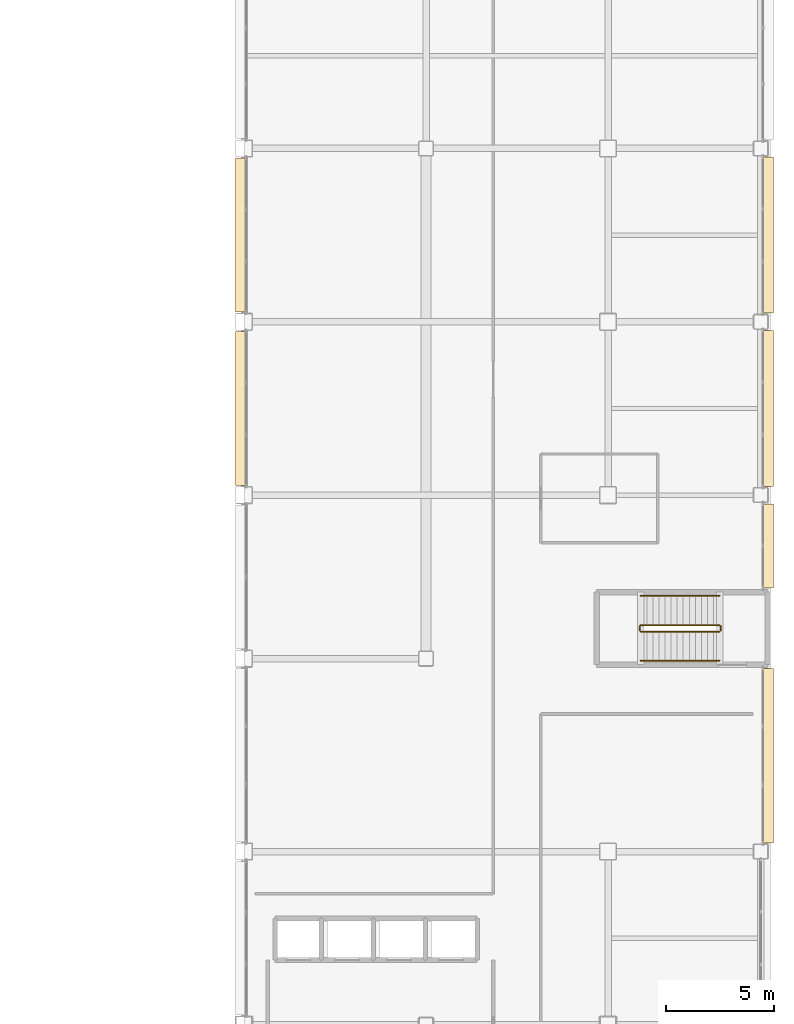
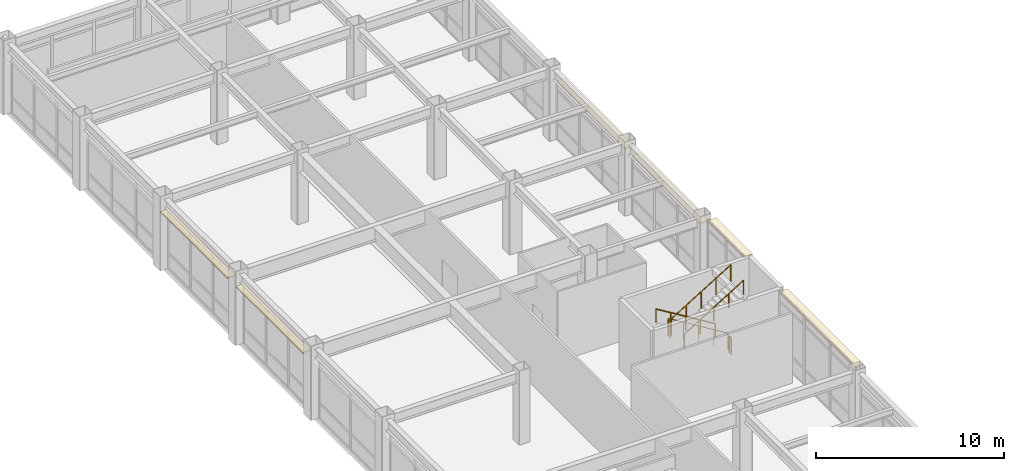
# One storey, part 153 of 154: 6 coverings, 6 railings.
"""IFC4 building model written with IfcOpenShell, lengths in metres."""

import ifcopenshell
import ifcopenshell.guid

model = None  # the IFC model being written
_history = None  # IfcOwnerHistory: only IFC2X3 demands one
_inside = {}  # id of a spatial element -> (the spatial element, [elements in it])
_under = {}  # id of a project, library or spatial element -> (it, [spatial elements below it])
_declared = {}  # id of a project -> (the project, [libraries it declares])
_typed = {}  # id of a type object -> (the type object, [elements of that type])
_made_of = {}  # id of a material, layer set ... -> (it, [elements and type objects made of it])


def new_model(schema):
    """Start an empty IFC model of exactly this schema.

    Asked for "IFC4X3", IfcOpenShell would pick the latest addendum, in which some entities
    have other attributes; the version numbers below select the first issue.
    IFC2X3 requires an IfcOwnerHistory on every rooted entity: one is made here for all.
    """
    global model, _history
    if schema == "IFC4X3":
        model = ifcopenshell.file(schema_version=(4, 3, 0, 0))
    else:
        model = ifcopenshell.file(schema=schema)
    _inside.clear()
    _under.clear()
    _declared.clear()
    _typed.clear()
    _made_of.clear()
    _history = None
    if model.schema == "IFC2X3":
        org = make("IfcOrganization", Name="unknown")
        user = make(
            "IfcPersonAndOrganization",
            ThePerson=make("IfcPerson", FamilyName="unknown"),
            TheOrganization=org,
        )
        app = make(
            "IfcApplication",
            ApplicationDeveloper=org,
            Version="unknown",
            ApplicationFullName="unknown",
            ApplicationIdentifier="unknown",
        )
        _history = make(
            "IfcOwnerHistory",
            OwningUser=user,
            OwningApplication=app,
            ChangeAction="ADDED",
            CreationDate=0,
        )
    return model


def make(cls, **values):
    """One entity of the class cls with the attributes given. An attribute that is None is left unset."""
    return model.create_entity(
        cls, **{name: value for name, value in values.items() if value is not None}
    )


def rooted(cls, **values):
    """An entity with a GlobalId (a new one), such as an element, a storey or a relation."""
    return make(cls, GlobalId=ifcopenshell.guid.new(), OwnerHistory=_history, **values)


def si_unit(unit_type, name, prefix=None):
    """IfcSIUnit, for example si_unit("LENGTHUNIT", "METRE", prefix="MILLI")."""
    return make("IfcSIUnit", UnitType=unit_type, Prefix=prefix, Name=name)


def assignment(units):
    """IfcUnitAssignment: the units of a project."""
    return None if units is None else make("IfcUnitAssignment", Units=units)


def point(xyz):
    """IfcCartesianPoint."""
    return None if xyz is None else make("IfcCartesianPoint", Coordinates=xyz)


def direction(xyz):
    """IfcDirection."""
    return None if xyz is None else make("IfcDirection", DirectionRatios=xyz)


def frame(location, z_axis=None, x_axis=None):
    """IfcAxis2Placement3D, a coordinate frame: its origin and axes. An axis left out is left unset."""
    return make(
        "IfcAxis2Placement3D",
        Location=point(location),
        Axis=direction(z_axis),
        RefDirection=direction(x_axis),
    )


def frame_2d(location, x_axis=None):
    """IfcAxis2Placement2D, a coordinate frame in the plane: its origin and x axis."""
    return make(
        "IfcAxis2Placement2D", Location=point(location), RefDirection=direction(x_axis)
    )


def origin():
    """The frame at (0, 0, 0) with its axes left unset."""
    return frame((0.0, 0.0, 0.0))


def origin_2d():
    """The frame at (0, 0) in the plane with its x axis left unset."""
    return frame_2d((0.0, 0.0))


def place(relative_to, where):
    """IfcLocalPlacement: puts the frame where relative to a parent placement (None: the world)."""
    return make(
        "IfcLocalPlacement", PlacementRelTo=relative_to, RelativePlacement=where
    )


def context(
    kind, dimensions, precision=None, world=None, true_north=None, identifier=None
):
    """IfcGeometricRepresentationContext, for example the 3D "Model" context."""
    return make(
        "IfcGeometricRepresentationContext",
        ContextIdentifier=identifier,
        ContextType=kind,
        CoordinateSpaceDimension=dimensions,
        Precision=precision,
        WorldCoordinateSystem=world,
        TrueNorth=true_north,
    )


def subcontext(parent, identifier, kind, view, scale=None):
    """IfcGeometricRepresentationSubContext, for example "Body" below "Model"."""
    return make(
        "IfcGeometricRepresentationSubContext",
        ContextIdentifier=identifier,
        ContextType=kind,
        ParentContext=parent,
        TargetScale=scale,
        TargetView=view,
    )


def project(units=None, contexts=None):
    """IfcProject with its units and contexts."""
    return rooted(
        "IfcProject",
        Name="project",
        RepresentationContexts=contexts,
        UnitsInContext=assignment(units),
    )


def spatial(cls, under=None, at=None, **own):
    """A site, building, storey or space (cls), placed at a placement, below another one or the project."""
    s = rooted(cls, ObjectPlacement=at, **own)
    if under is not None:
        _under.setdefault(under.id(), (under, []))[1].append(s)
    return s


def profile(cls, at=None, kind="AREA", **sizes):
    """A parametric profile (cls). Its sizes go by their IFC names, for example OverallWidth=200.0."""
    return make(cls, ProfileType=kind, Position=at, **sizes)


def rectangle(**sizes):
    """IfcRectangleProfileDef."""
    return profile("IfcRectangleProfileDef", **sizes)


def circle(**sizes):
    """IfcCircleProfileDef."""
    return profile("IfcCircleProfileDef", **sizes)


def extrude(swept, where, along, depth):
    """IfcExtrudedAreaSolid: the profile swept, set in the frame where, extruded along a direction by depth."""
    return make(
        "IfcExtrudedAreaSolid",
        SweptArea=swept,
        Position=where,
        ExtrudedDirection=direction(along),
        Depth=depth,
    )


def shape(context_of_items, identifier, shape_type, items):
    """IfcShapeRepresentation: the items that make up one representation, for example the "Body"."""
    return make(
        "IfcShapeRepresentation",
        ContextOfItems=context_of_items,
        RepresentationIdentifier=identifier,
        RepresentationType=shape_type,
        Items=items,
    )


def material(Name=None, Category=None):
    """IfcMaterial."""
    return make("IfcMaterial", Name=Name, Category=Category)


def layer(
    of_material, thickness, ventilated=None, Name=None, Category=None, Priority=None
):
    """IfcMaterialLayer: one layer of a wall or slab, of a material (None: an air gap)."""
    return make(
        "IfcMaterialLayer",
        Material=of_material,
        LayerThickness=thickness,
        IsVentilated=ventilated,
        Name=Name,
        Category=Category,
        Priority=Priority,
    )


def layer_set(layers, Name=None):
    """IfcMaterialLayerSet."""
    return make("IfcMaterialLayerSet", MaterialLayers=layers, LayerSetName=Name)


def made_of(thing, what):
    """Note that an element or type object is made of a material, layer set ...; save() writes the relation."""
    if what is not None:
        _made_of.setdefault(what.id(), (what, []))[1].append(thing)
    return thing


def type_object(cls, material=None, **own):
    """A type object (cls), such as IfcWallType, which elements share."""
    return made_of(rooted(cls, **own), material)


def element(
    cls,
    number,
    at=None,
    inside=None,
    cuts=None,
    type_object=None,
    material=None,
    context=None,
    identifier="Body",
    shape_type=None,
    held_by="IfcProductDefinitionShape",
    body=None,
    shapes=None,
    **own,
):
    """One element of the class cls, such as IfcWall. Its Tag is "e" and its number.

    at: its placement. inside: the storey or other place that contains it. cuts: it is an
    opening in that element (IfcRelVoidsElement). A single representation is given by context,
    identifier, shape_type and body (its items); several are given by shapes. held_by: the class
    of the entity that holds the representations. save() writes the other relations.
    """
    e = rooted(cls, Tag="e%d" % number, ObjectPlacement=at, **own)
    if body is not None:
        shapes = [shape(context, identifier, shape_type, body)]
    if shapes is not None:
        e.Representation = make(held_by, Representations=shapes)
    if inside is not None:
        _inside.setdefault(inside.id(), (inside, []))[1].append(e)
    if cuts is not None:
        rooted(
            "IfcRelVoidsElement", RelatingBuildingElement=cuts, RelatedOpeningElement=e
        )
    if type_object is not None:
        _typed.setdefault(type_object.id(), (type_object, []))[1].append(e)
    return made_of(e, material)


def aggregate(whole, parts):
    """IfcRelAggregates: a whole, such as a stair, and the parts it consists of."""
    return rooted("IfcRelAggregates", RelatingObject=whole, RelatedObjects=parts)


def save(model, path):
    """Write the relations noted so far, then the file.

    IfcRelAggregates (storeys below a building ...), IfcRelContainedInSpatialStructure (elements
    in a storey), IfcRelDefinesByType, IfcRelAssociatesMaterial and IfcRelDeclares: one each for
    every whole, place, type object, material and project.
    """
    for whole, parts in _under.values():
        aggregate(whole, parts)
    for where, things in _inside.values():
        rooted(
            "IfcRelContainedInSpatialStructure",
            RelatedElements=things,
            RelatingStructure=where,
        )
    for kind, things in _typed.values():
        rooted("IfcRelDefinesByType", RelatedObjects=things, RelatingType=kind)
    for what, things in _made_of.values():
        rooted("IfcRelAssociatesMaterial", RelatedObjects=things, RelatingMaterial=what)
    for by, libraries in _declared.values():
        rooted("IfcRelDeclares", RelatingContext=by, RelatedDefinitions=libraries)
    model.write(path)


model = new_model("IFC4")

# Units and contexts
model_context = context("Model", 3, precision=1e-05, world=origin(), true_north=direction((0.0, 1.0)))
body_context = subcontext(model_context, "Body", "Model", "MODEL_VIEW")
ifc_project = project(units=[si_unit("LENGTHUNIT", "METRE"), si_unit("AREAUNIT", "SQUARE_METRE"), si_unit("VOLUMEUNIT", "CUBIC_METRE"), si_unit("PLANEANGLEUNIT", "RADIAN"), si_unit("MASSUNIT", "GRAM", prefix="KILO")], contexts=[model_context])

# Site, building, storey
site_placement = place(None, origin())
site = spatial("IfcSite", under=ifc_project, at=site_placement, CompositionType="ELEMENT")
building_placement = place(site_placement, origin())
building = spatial("IfcBuilding", under=site, at=building_placement, Name="Kazehara Bluff Congress Hotel", CompositionType="ELEMENT")
storey_placement = place(building_placement, frame((0.0, 0.0, 10.199951171875)))
storey = spatial("IfcBuildingStorey", under=building, at=storey_placement, Name="L02", CompositionType="ELEMENT", Elevation=10.199951171875)

# Coverings
ifc_material_1 = material(Name="Anodised aluminium architectural brise-soleil", Category="aluminium")
ifc_layer = layer(ifc_material_1, 0.10009765625)
ifc_layer_set = layer_set([ifc_layer], Name="Anodised aluminium architectural brise-soleil")
covering_type = type_object("IfcCoveringType", Name="TP-FAC-FIN", PredefinedType="CLADDING", material=ifc_layer_set)
covering_1_placement = place(storey_placement, frame((167.889892578125, 68.8701171875, 4.375), z_axis=(0.0, 0.0, 1.0), x_axis=(1.0, 0.0, 0.0)))
element("IfcCovering", 1, at=covering_1_placement, inside=storey, type_object=covering_type, Name="L02 V5 architectural sun-hood 109", PredefinedType="CLADDING", context=body_context, shape_type="SweptSolid", body=[
    extrude(rectangle(XDim=0.52001953125, YDim=8.0400390625, at=origin_2d()), origin(), (0.0, 0.0, 1.0), 0.10009765625),
])
covering_2_placement = place(storey_placement, frame((167.889892578125, 78.554931640625, 4.375), z_axis=(0.0, 0.0, 1.0), x_axis=(1.0, 0.0, 0.0)))
element("IfcCovering", 2, at=covering_2_placement, inside=storey, type_object=covering_type, Name="L02 V5 architectural sun-hood 110", PredefinedType="CLADDING", context=body_context, shape_type="SweptSolid", body=[
    extrude(rectangle(XDim=0.52001953125, YDim=3.889892578125, at=origin_2d()), origin(), (0.0, 0.0, 1.0), 0.10009765625),
])
for number, where, z_axis, x_axis, name in (
    (3, (167.889892578125, 84.89990234375, 3.715087890625), (0.0, 0.0, 1.0), (1.0, 0.0, 0.0), "L02 V5 architectural sun-hood 111"),
    (4, (167.889892578125, 92.89990234375, 3.715087890625), (0.0, 0.0, 1.0), (1.0, 0.0, 0.0), "L02 V5 architectural sun-hood 112"),
):
    element("IfcCovering", number, at=place(storey_placement, frame(where, z_axis=z_axis, x_axis=x_axis)), inside=storey, type_object=covering_type, Name=name, PredefinedType="CLADDING", context=body_context, shape_type="SweptSolid", body=[
        extrude(rectangle(XDim=0.52001953125, YDim=7.199951171875, at=origin_2d()), origin(), (0.0, 0.0, 1.0), 0.10009765625),
    ])
for number, where, z_axis, x_axis, name in (
    (5, (143.56005859375, 84.89990234375, 3.81494140625), (0.0, 0.0, 1.0), (1.0, 0.0, 0.0), "L02 V5 architectural sun-hood 124"),
    (6, (143.56005859375, 92.89990234375, 3.81494140625), (0.0, 0.0, 1.0), (1.0, 0.0, 0.0), "L02 V5 architectural sun-hood 125"),
):
    element("IfcCovering", number, at=place(storey_placement, frame(where, z_axis=z_axis, x_axis=x_axis)), inside=storey, type_object=covering_type, Name=name, PredefinedType="CLADDING", context=body_context, shape_type="SweptSolid", body=[
        extrude(rectangle(XDim=0.52001953125, YDim=7.10009765625, at=origin_2d()), origin(), (0.0, 0.0, 1.0), 0.10009765625),
    ])

# Railings
ifc_material_2 = material(Name="Brushed stainless steel", Category="steel")
railing_type_1 = type_object("IfcRailingType", Name="TP-GRD-INT", PredefinedType="GUARDRAIL", material=ifc_material_2)
railing_1_placement = place(storey_placement, frame((165.64990234375, 74.89990234375, 0.17138671875)))
element("IfcRailing", 7, at=railing_1_placement, inside=storey, type_object=railing_type_1, Name="L02 ST-12 stair guard 1", PredefinedType="GUARDRAIL", context=body_context, shape_type="SweptSolid", body=[
    extrude(circle(Radius=0.02392578125, at=origin_2d()), frame((0.0, 0.0, 1.076171875), z_axis=(-0.852824790078, 0.0, 0.522197163366), x_axis=(0.0, -1.0, 0.0)), (0.0, 0.0, 1.0), 4.26806640625),
    extrude(circle(Radius=0.02099609375, at=origin_2d()), origin(), (0.0, 0.0, 1.0), 1.052001953125),
    extrude(circle(Radius=0.02099609375, at=origin_2d()), frame((-0.909912109375, 0.0, 0.55712890625)), (0.0, 0.0, 1.0), 1.052001953125),
    extrude(circle(Radius=0.02099609375, at=origin_2d()), frame((-1.81982421875, 0.0, 1.1142578125)), (0.0, 0.0, 1.0), 1.052001953125),
    extrude(circle(Radius=0.02099609375, at=origin_2d()), frame((-2.72998046875, 0.0, 1.671630859375)), (0.0, 0.0, 1.0), 1.052001953125),
    extrude(circle(Radius=0.02099609375, at=origin_2d()), frame((-3.639892578125, 0.0, 2.228759765625)), (0.0, 0.0, 1.0), 1.052001953125),
])
railing_2_placement = place(storey_placement, frame((161.9599609375, 74.85009765625, 2.400146484375)))
element("IfcRailing", 8, at=railing_2_placement, inside=storey, type_object=railing_type_1, Name="L02 ST-12 stair guard 2", PredefinedType="GUARDRAIL", context=body_context, shape_type="SweptSolid", body=[
    extrude(circle(Radius=0.02392578125, at=origin_2d()), frame((0.0, 0.0, 1.076171875), z_axis=(0.0, -1.0, 0.0), x_axis=(1.0, 0.0, 0.0)), (0.0, 0.0, 1.0), 0.2001953125),
    extrude(circle(Radius=0.02099609375, at=origin_2d()), origin(), (0.0, 0.0, 1.0), 1.052001953125),
    extrude(circle(Radius=0.02099609375, at=origin_2d()), frame((0.0, -0.2001953125, 0.0)), (0.0, 0.0, 1.0), 1.052001953125),
])
railing_3_placement = place(storey_placement, frame((162.010009765625, 74.60009765625, 2.571533203125)))
element("IfcRailing", 9, at=railing_3_placement, inside=storey, type_object=railing_type_1, Name="L02 ST-12 stair guard 3", PredefinedType="GUARDRAIL", context=body_context, shape_type="SweptSolid", body=[
    extrude(circle(Radius=0.02392578125, at=origin_2d()), frame((0.0, 0.0, 1.076171875), z_axis=(0.852850264322, 0.0, 0.5221555579), x_axis=(0.0, 1.0, 0.0)), (0.0, 0.0, 1.0), 4.267822265625),
    extrude(circle(Radius=0.02099609375, at=origin_2d()), origin(), (0.0, 0.0, 1.0), 1.052001953125),
    extrude(circle(Radius=0.02099609375, at=origin_2d()), frame((0.909912109375, 0.0, 0.55712890625)), (0.0, 0.0, 1.0), 1.052001953125),
    extrude(circle(Radius=0.02099609375, at=origin_2d()), frame((1.81982421875, 0.0, 1.1142578125)), (0.0, 0.0, 1.0), 1.052001953125),
    extrude(circle(Radius=0.02099609375, at=origin_2d()), frame((2.72998046875, 0.0, 1.67138671875)), (0.0, 0.0, 1.0), 1.052001953125),
    extrude(circle(Radius=0.02099609375, at=origin_2d()), frame((3.639892578125, 0.0, 2.228515625)), (0.0, 0.0, 1.0), 1.052001953125),
])
railing_4_placement = place(storey_placement, frame((165.699951171875, 74.85009765625, 0.0)))
element("IfcRailing", 10, at=railing_4_placement, inside=storey, type_object=railing_type_1, Name="L02 ST-12 stair guard 4", PredefinedType="GUARDRAIL", context=body_context, shape_type="SweptSolid", body=[
    extrude(circle(Radius=0.02392578125, at=origin_2d()), frame((0.0, 0.0, 1.076171875), z_axis=(0.0, -1.0, 0.0), x_axis=(1.0, 0.0, 0.0)), (0.0, 0.0, 1.0), 0.2001953125),
    extrude(circle(Radius=0.02099609375, at=origin_2d()), origin(), (0.0, 0.0, 1.0), 1.052001953125),
    extrude(circle(Radius=0.02099609375, at=origin_2d()), frame((0.0, -0.2001953125, 0.0)), (0.0, 0.0, 1.0), 1.052001953125),
])
ifc_material_3 = material(Name="Brushed stainless steel", Category="steel")
railing_type_2 = type_object("IfcRailingType", Name="TP-HR-INT", PredefinedType="HANDRAIL", material=ifc_material_3)
railing_5_placement = place(storey_placement, frame((165.64990234375, 76.25, 0.17138671875)))
element("IfcRailing", 11, at=railing_5_placement, inside=storey, type_object=railing_type_2, Name="L02 ST-12 stair handrail 1", PredefinedType="HANDRAIL", context=body_context, shape_type="SweptSolid", body=[
    extrude(circle(Radius=0.02392578125, at=origin_2d()), frame((0.0, 0.0, 0.8759765625), z_axis=(-0.852824790078, 0.0, 0.522197163366), x_axis=(0.0, -1.0, 0.0)), (0.0, 0.0, 1.0), 4.26806640625),
    extrude(circle(Radius=0.02099609375, at=origin_2d()), origin(), (0.0, 0.0, 1.0), 0.851806640625),
    extrude(circle(Radius=0.02099609375, at=origin_2d()), frame((-0.909912109375, 0.0, 0.55712890625)), (0.0, 0.0, 1.0), 0.851806640625),
    extrude(circle(Radius=0.02099609375, at=origin_2d()), frame((-1.81982421875, 0.0, 1.1142578125)), (0.0, 0.0, 1.0), 0.851806640625),
    extrude(circle(Radius=0.02099609375, at=origin_2d()), frame((-2.72998046875, 0.0, 1.671630859375)), (0.0, 0.0, 1.0), 0.851806640625),
    extrude(circle(Radius=0.02099609375, at=origin_2d()), frame((-3.639892578125, 0.0, 2.228759765625)), (0.0, 0.0, 1.0), 0.851806640625),
])
railing_6_placement = place(storey_placement, frame((162.010009765625, 73.25, 2.571533203125)))
element("IfcRailing", 12, at=railing_6_placement, inside=storey, type_object=railing_type_2, Name="L02 ST-12 stair handrail 2", PredefinedType="HANDRAIL", context=body_context, shape_type="SweptSolid", body=[
    extrude(circle(Radius=0.02392578125, at=origin_2d()), frame((0.0, 0.0, 0.8759765625), z_axis=(0.852850264322, 0.0, 0.5221555579), x_axis=(0.0, 1.0, 0.0)), (0.0, 0.0, 1.0), 4.267822265625),
    extrude(circle(Radius=0.02099609375, at=origin_2d()), origin(), (0.0, 0.0, 1.0), 0.851806640625),
    extrude(circle(Radius=0.02099609375, at=origin_2d()), frame((0.909912109375, 0.0, 0.55712890625)), (0.0, 0.0, 1.0), 0.851806640625),
    extrude(circle(Radius=0.02099609375, at=origin_2d()), frame((1.81982421875, 0.0, 1.1142578125)), (0.0, 0.0, 1.0), 0.851806640625),
    extrude(circle(Radius=0.02099609375, at=origin_2d()), frame((2.72998046875, 0.0, 1.67138671875)), (0.0, 0.0, 1.0), 0.851806640625),
    extrude(circle(Radius=0.02099609375, at=origin_2d()), frame((3.639892578125, 0.0, 2.228515625)), (0.0, 0.0, 1.0), 0.851806640625),
])

save(model, "model.ifc")
